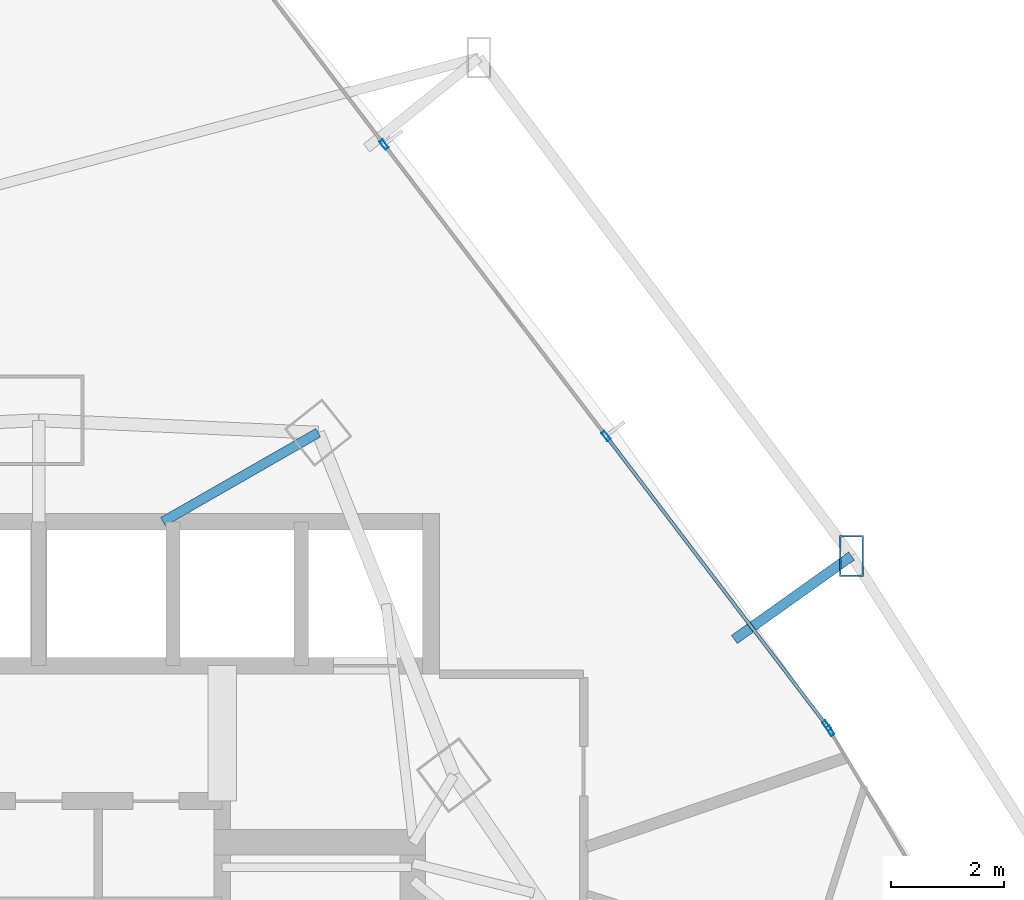
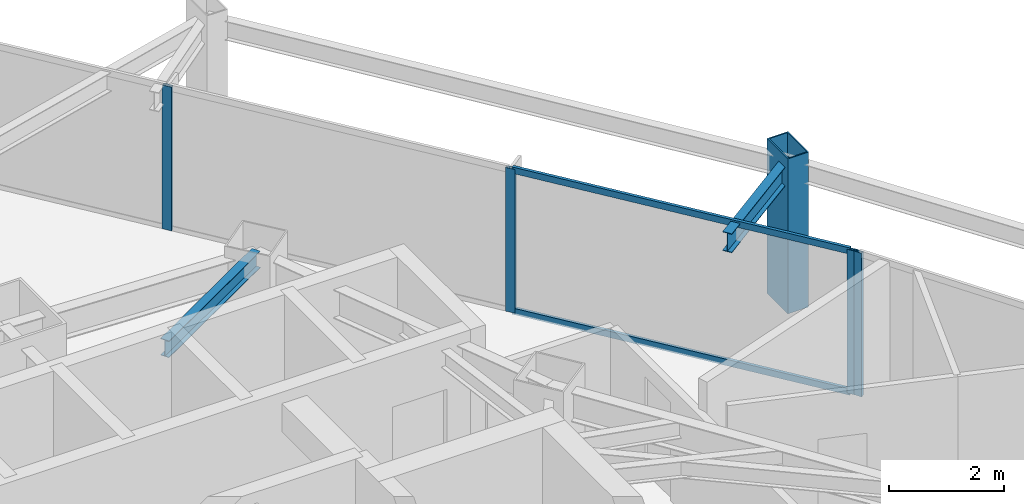
# One storey, part 27 of 35: 7 members, 2 beams, 2 elements without a shape of their own.
"""IFC4 building model written with IfcOpenShell, lengths in metres."""

from ifc_helpers import new_model, si_unit, direction, frame, origin, origin_2d, place, context, subcontext, project, spatial, hollow_rectangle, i_section, extrude, material, layer, layer_set, material_profile, profile_set, type_object, element, aggregate, save


model = new_model("IFC4")

# Units and contexts
model_context = context("Model", 3, precision=1e-05, world=origin(), true_north=direction((0.0, 1.0)))
body_context = subcontext(model_context, "Body", "Model", "MODEL_VIEW")
ifc_project = project(units=[si_unit("LENGTHUNIT", "METRE"), si_unit("AREAUNIT", "SQUARE_METRE"), si_unit("VOLUMEUNIT", "CUBIC_METRE"), si_unit("PLANEANGLEUNIT", "RADIAN"), si_unit("MASSUNIT", "GRAM", prefix="KILO")], contexts=[model_context])

# Site, building, storey
site_placement = place(None, origin())
site = spatial("IfcSite", under=ifc_project, at=site_placement, CompositionType="ELEMENT")
building_placement = place(site_placement, origin())
building = spatial("IfcBuilding", under=site, at=building_placement, Name="Orvanel Arch Residences", CompositionType="ELEMENT")
storey_placement = place(building_placement, frame((0.0, 0.0, 36.800048828125)))
storey = spatial("IfcBuildingStorey", under=building, at=storey_placement, Name="L09", CompositionType="ELEMENT", Elevation=36.800048828125)

# Beam
ifc_material_1 = material(Name="Structural steel AS/NZS 3679.1 Grade 300 (300 MPa)", Category="steel")
ifc_material_profile_1 = material_profile(ifc_material_1, i_section(OverallWidth=0.1708984375, OverallDepth=0.35595703125, WebThickness=0.00732421875, FlangeThickness=0.011474609375, at=origin_2d()), Name="360UB50.7")
ifc_profile_set_1 = profile_set([ifc_material_profile_1], Name="Structural steel AS/NZS 3679.1 Grade 300 (300 MPa)")
beam_type_1 = type_object("IfcBeamType", Name="BJ-360UB", PredefinedType="JOIST", material=ifc_profile_set_1)
beam_1_placement = place(storey_placement, frame((35.199951171875, 39.60009765625, 2.8818359375), z_axis=(0.86736513383, 0.497672306458, 0.0), x_axis=(-0.497672306458, 0.86736513383, 0.0)))
element("IfcBeam", 1, at=beam_1_placement, inside=storey, type_object=beam_type_1, Name="L09 MNE Wing Floor Joist", PredefinedType="JOIST", context=body_context, shape_type="SweptSolid", body=[
    extrude(i_section(OverallWidth=0.1708984375, OverallDepth=0.35595703125, WebThickness=0.00732421875, FlangeThickness=0.011474609375, at=origin_2d()), origin(), (0.0, 0.0, 1.0), 3.17041015625),
])

# Member
ifc_material_2 = material(Name="Structural steel AS/NZS 3678 Grade 350", Category="steel")
ifc_material_profile_2 = material_profile(ifc_material_2, hollow_rectangle(XDim=0.419921875, YDim=0.719970703125, WallThickness=0.02490234375, at=origin_2d()), Name="RHS720x420x25")
ifc_profile_set_2 = profile_set([ifc_material_profile_2], Name="Structural steel AS/NZS 3678 Grade 350")
member_type_1 = type_object("IfcMemberType", Name="CH-720RHS-EXT", PredefinedType="CHORD", material=ifc_profile_set_2)
member_1_placement = place(storey_placement, frame((47.39794921875, 38.992919921875, 0.0), z_axis=(0.0, 0.0, 1.0), x_axis=(1.0, 0.0, 0.0)))
element("IfcMember", 2, at=member_1_placement, inside=storey, type_object=member_type_1, Name="L09 Outer Perimeter Frame Post 11", PredefinedType="CHORD", context=body_context, shape_type="SweptSolid", body=[
    extrude(hollow_rectangle(XDim=0.419921875, YDim=0.719970703125, WallThickness=0.02490234375, at=origin_2d()), origin(), (0.0, 0.0, 1.0), 3.300048828125),
])

# Curtain wall, member
ifc_material_3 = material(Name="Bronze-anodised aluminium AA6063-T6", Category="aluminium")
ifc_layer = layer(ifc_material_3, 0.179931640625)
ifc_layer_set = layer_set([ifc_layer], Name="Bronze-anodised aluminium AA6063-T6")
curtain_wall_type = type_object("IfcCurtainWallType", Name="CW2-LOW-SYS", PredefinedType="NOTDEFINED", material=ifc_layer_set)
curtain_wall_1_placement = place(storey_placement, origin())
curtain_wall_1 = element("IfcCurtainWall", 3, at=curtain_wall_1_placement, inside=storey, type_object=curtain_wall_type, Name="L09 CW2-LOW-SYS Unitised Curtain Wall", PredefinedType="NOTDEFINED")
ifc_material_profile_3 = material_profile(ifc_material_3, hollow_rectangle(XDim=0.070068359375, YDim=0.179931640625, WallThickness=0.00439453125, at=origin_2d()), Name="ALU180x70x4.5")
ifc_profile_set_3 = profile_set([ifc_material_profile_3], Name="Bronze-anodised aluminium AA6063-T6")
member_type_2 = type_object("IfcMemberType", Name="MUL-180x70", PredefinedType="MULLION", material=ifc_profile_set_3)
member_2_placement = place(storey_placement, frame((47.01904296875, 35.89697265625, 0.0), z_axis=(0.0, 0.0, 1.0), x_axis=(-0.857554559604, -0.514393018326, 0.0)))
member_2 = element("IfcMember", 4, at=member_2_placement, type_object=member_type_2, Name="CW-S2 mullion 3", PredefinedType="MULLION", context=body_context, shape_type="SweptSolid", body=[
    extrude(hollow_rectangle(XDim=0.070068359375, YDim=0.179931640625, WallThickness=0.00439453125, at=origin_2d()), origin(), (0.0, 0.0, 1.0), 3.06005859375),
])
aggregate(curtain_wall_1, [member_2])

# Curtain wall, members
curtain_wall_2_placement = place(storey_placement, origin())
curtain_wall_2 = element("IfcCurtainWall", 5, at=curtain_wall_2_placement, inside=storey, type_object=curtain_wall_type, Name="L09 CW2-LOW-SYS Unitised Curtain Wall", PredefinedType="NOTDEFINED")
member_3_placement = place(storey_placement, frame((46.957763671875, 35.98779296875, 0.0), z_axis=(0.0, 0.0, 1.0), x_axis=(-0.795451769988, -0.606016898793, 0.0)))
member_3 = element("IfcMember", 6, at=member_3_placement, type_object=member_type_2, Name="CW-S2 mullion 1", PredefinedType="MULLION", context=body_context, shape_type="SweptSolid", body=[
    extrude(hollow_rectangle(XDim=0.070068359375, YDim=0.179931640625, WallThickness=0.00439453125, at=origin_2d()), origin(), (0.0, 0.0, 1.0), 3.06005859375),
])
member_4_placement = place(storey_placement, frame((43.04736328125, 41.12060546875, 0.0), z_axis=(0.0, 0.0, 1.0), x_axis=(-0.795451769988, -0.606016898793, 0.0)))
member_4 = element("IfcMember", 7, at=member_4_placement, type_object=member_type_2, Name="CW-S2 mullion 2", PredefinedType="MULLION", context=body_context, shape_type="SweptSolid", body=[
    extrude(hollow_rectangle(XDim=0.070068359375, YDim=0.179931640625, WallThickness=0.00439453125, at=origin_2d()), origin(), (0.0, 0.0, 1.0), 3.06005859375),
])
member_5_placement = place(storey_placement, frame((39.11572265625, 46.28125, 0.0), z_axis=(0.0, 0.0, 1.0), x_axis=(-0.795451769988, -0.606016898793, 0.0)))
member_5 = element("IfcMember", 8, at=member_5_placement, type_object=member_type_2, Name="CW-S2 mullion 3", PredefinedType="MULLION", context=body_context, shape_type="SweptSolid", body=[
    extrude(hollow_rectangle(XDim=0.070068359375, YDim=0.179931640625, WallThickness=0.00439453125, at=origin_2d()), origin(), (0.0, 0.0, 1.0), 3.06005859375),
])

# Beam
ifc_material_profile_4 = material_profile(ifc_material_1, i_section(OverallWidth=0.177978515625, OverallDepth=0.406005859375, WebThickness=0.0078125, FlangeThickness=0.0126953125, at=origin_2d()), Name="410UB59.7")
ifc_profile_set_4 = profile_set([ifc_material_profile_4], Name="Structural steel AS/NZS 3679.1 Grade 300 (300 MPa)")
beam_type_2 = type_object("IfcBeamType", Name="OB-410UB-EXT", PredefinedType="SPANDREL", material=ifc_profile_set_4)
beam_2_placement = place(storey_placement, frame((45.321044921875, 37.514892578125, 2.85693359375), z_axis=(0.81474820752, 0.579814934563, 0.0), x_axis=(-0.579814934563, 0.81474820752, 0.0)))
element("IfcBeam", 9, at=beam_2_placement, inside=storey, type_object=beam_type_2, Name="L09 Outer Frame Radial Tie Beam 11", PredefinedType="SPANDREL", context=body_context, shape_type="SweptSolid", body=[
    extrude(i_section(OverallWidth=0.177978515625, OverallDepth=0.406005859375, WebThickness=0.0078125, FlangeThickness=0.0126953125, at=origin_2d()), origin(), (0.0, 0.0, 1.0), 2.549072265625),
])

# Member
ifc_material_profile_5 = material_profile(ifc_material_3, hollow_rectangle(XDim=0.06005859375, YDim=0.135009765625, WallThickness=0.00390625, at=origin_2d()), Name="ALU135x60x4")
ifc_profile_set_5 = profile_set([ifc_material_profile_5], Name="Bronze-anodised aluminium AA6063-T6")
member_type_3 = type_object("IfcMemberType", Name="TRN-135x60", PredefinedType="USERDEFINED", material=ifc_profile_set_5)
member_6_placement = place(storey_placement, frame((46.9365234375, 36.015625, 0.030029296875), z_axis=(-0.606005183428, 0.795460695232, 0.0), x_axis=(-0.795460695232, -0.606005183428, 0.0)))
member_6 = element("IfcMember", 10, at=member_6_placement, type_object=member_type_3, Name="CW-S2 transom 1.1", ObjectType="TRANSOM", PredefinedType="USERDEFINED", context=body_context, shape_type="SweptSolid", body=[
    extrude(hollow_rectangle(XDim=0.06005859375, YDim=0.135009765625, WallThickness=0.00390625, at=origin_2d()), origin(), (0.0, 0.0, 1.0), 6.382568359375),
])

member_7_placement = place(storey_placement, frame((46.9365234375, 36.015625, 3.030029296875), z_axis=(-0.606005183428, 0.795460695232, 0.0), x_axis=(-0.795460695232, -0.606005183428, 0.0)))
member_7 = element("IfcMember", 11, at=member_7_placement, type_object=member_type_3, Name="CW-S2 transom 1.2", ObjectType="TRANSOM", PredefinedType="USERDEFINED", context=body_context, shape_type="SweptSolid", body=[
    extrude(hollow_rectangle(XDim=0.06005859375, YDim=0.135009765625, WallThickness=0.00390625, at=origin_2d()), origin(), (0.0, 0.0, 1.0), 6.382568359375),
])

aggregate(curtain_wall_2, [member_3, member_4, member_5, member_6, member_7])

save(model, "model.ifc")
